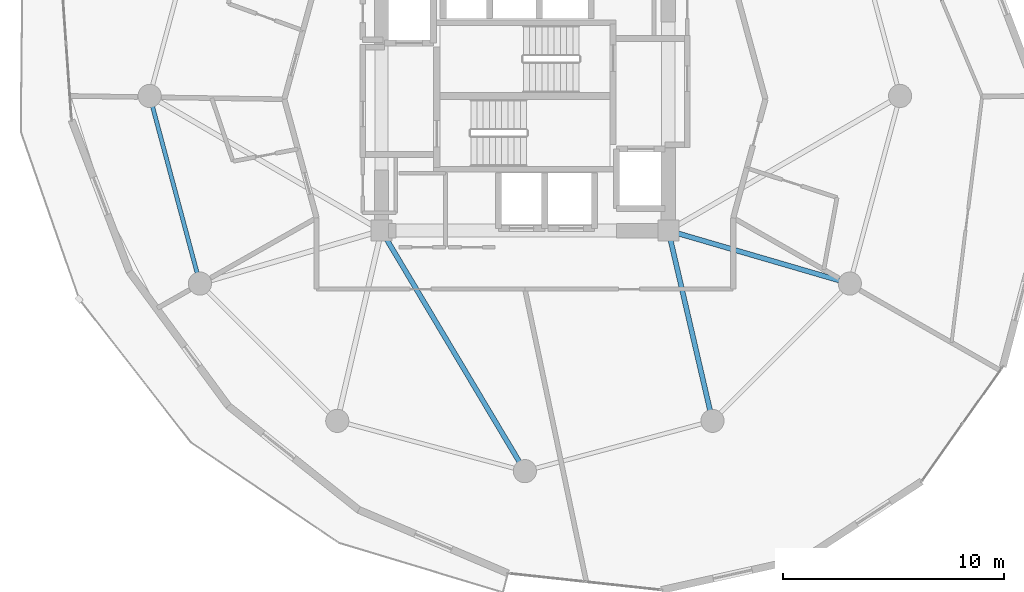
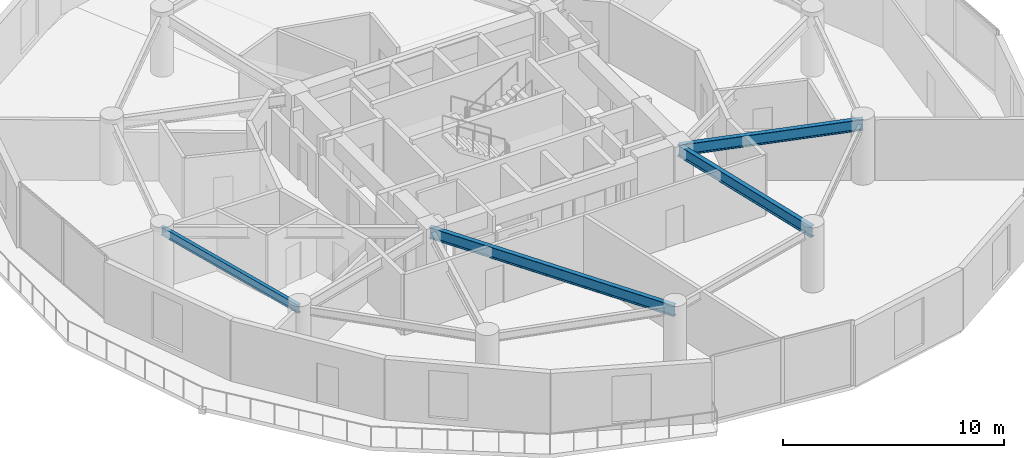
# One storey, part 4 of 22: 4 beams.
"""IFC4 building model written with IfcOpenShell, lengths in metres."""

from ifc_helpers import new_model, si_unit, direction, frame, origin, origin_2d, place, context, subcontext, project, spatial, i_section, extrude, material, material_profile, profile_set, type_object, element, save


model = new_model("IFC4")

# Units and contexts
model_context = context("Model", 3, precision=1e-05, world=origin(), true_north=direction((0.0, 1.0)))
body_context = subcontext(model_context, "Body", "Model", "MODEL_VIEW")
ifc_project = project(units=[si_unit("LENGTHUNIT", "METRE"), si_unit("AREAUNIT", "SQUARE_METRE"), si_unit("VOLUMEUNIT", "CUBIC_METRE"), si_unit("PLANEANGLEUNIT", "RADIAN"), si_unit("MASSUNIT", "GRAM", prefix="KILO")], contexts=[model_context])

# Site, building, storey
site_placement = place(None, origin())
site = spatial("IfcSite", under=ifc_project, at=site_placement, CompositionType="ELEMENT")
building_placement = place(site_placement, origin())
building = spatial("IfcBuilding", under=site, at=building_placement, Name="Solvirekh Grand Hotel", CompositionType="ELEMENT")
storey_placement = place(building_placement, frame((0.0, 0.0, 149.39990234375)))
storey = spatial("IfcBuildingStorey", under=building, at=storey_placement, Name="L38", CompositionType="ELEMENT", Elevation=149.39990234375)

# Beams
ifc_material = material(Name="Steel S355", Category="steel")
ifc_material_profile_1 = material_profile(ifc_material, i_section(OverallWidth=0.22802734375, OverallDepth=0.616943359375, WebThickness=0.012939453125, FlangeThickness=0.02001953125, FilletRadius=0.014892578125, at=origin_2d()), Name="W610X140")
ifc_profile_set_1 = profile_set([ifc_material_profile_1], Name="Steel S355")
beam_type_1 = type_object("IfcBeamType", Name="Beam_Radial_W610", PredefinedType="BEAM", material=ifc_profile_set_1)
beam_1_placement = place(storey_placement, frame((-6.5, -6.10009765625, 3.041015625), z_axis=(0.512179721377, -0.858878299301, 0.0), x_axis=(0.858878299301, 0.512179721377, 0.0)))
element("IfcBeam", 1, at=beam_1_placement, inside=storey, type_object=beam_type_1, Name="L38 radial floor beam R10", PredefinedType="BEAM", context=body_context, shape_type="SweptSolid", body=[
    extrude(i_section(OverallWidth=0.22802734375, OverallDepth=0.616943359375, WebThickness=0.012939453125, FlangeThickness=0.02001953125, FilletRadius=0.014892578125, at=origin_2d()), origin(), (0.0, 0.0, 1.0), 12.69091796875),
])
beam_2_placement = place(storey_placement, frame((6.5, -6.10009765625, 3.041015625), z_axis=(0.225969390542, -0.974134402707, 0.0), x_axis=(0.974134402707, 0.225969390542, 0.0)))
element("IfcBeam", 2, at=beam_2_placement, inside=storey, type_object=beam_type_1, Name="L38 radial floor beam R11", PredefinedType="BEAM", context=body_context, shape_type="SweptSolid", body=[
    extrude(i_section(OverallWidth=0.22802734375, OverallDepth=0.616943359375, WebThickness=0.012939453125, FlangeThickness=0.02001953125, FilletRadius=0.014892578125, at=origin_2d()), origin(), (0.0, 0.0, 1.0), 8.850830078125),
])
beam_3_placement = place(storey_placement, frame((6.5, -6.10009765625, 3.041015625), z_axis=(0.959942195467, -0.28019811092, 0.0), x_axis=(0.28019811092, 0.959942195467, 0.0)))
element("IfcBeam", 3, at=beam_3_placement, inside=storey, type_object=beam_type_1, Name="L38 radial floor beam R12", PredefinedType="BEAM", context=body_context, shape_type="SweptSolid", body=[
    extrude(i_section(OverallWidth=0.22802734375, OverallDepth=0.616943359375, WebThickness=0.012939453125, FlangeThickness=0.02001953125, FilletRadius=0.014892578125, at=origin_2d()), origin(), (0.0, 0.0, 1.0), 8.56494140625),
])
ifc_material_profile_2 = material_profile(ifc_material, i_section(OverallWidth=0.18994140625, OverallDepth=0.45703125, WebThickness=0.009033203125, FlangeThickness=0.013916015625, FilletRadius=0.012939453125, at=origin_2d()), Name="W460X74")
ifc_profile_set_2 = profile_set([ifc_material_profile_2], Name="Steel S355")
beam_type_2 = type_object("IfcBeamType", Name="Spandrel_Ring_W460", PredefinedType="SPANDREL", material=ifc_profile_set_2)
beam_4_placement = place(storey_placement, frame((-17.0, 0.0, 3.1220703125), z_axis=(0.258872908946, -0.965911391906, 0.0), x_axis=(0.965911391906, 0.258872908946, 0.0)))
element("IfcBeam", 4, at=beam_4_placement, inside=storey, type_object=beam_type_2, Name="L38 perimeter spandrel beam 7", PredefinedType="SPANDREL", context=body_context, shape_type="SweptSolid", body=[
    extrude(i_section(OverallWidth=0.18994140625, OverallDepth=0.45703125, WebThickness=0.009033203125, FlangeThickness=0.013916015625, FilletRadius=0.012939453125, at=origin_2d()), origin(), (0.0, 0.0, 1.0), 8.800048828125),
])

save(model, "model.ifc")
